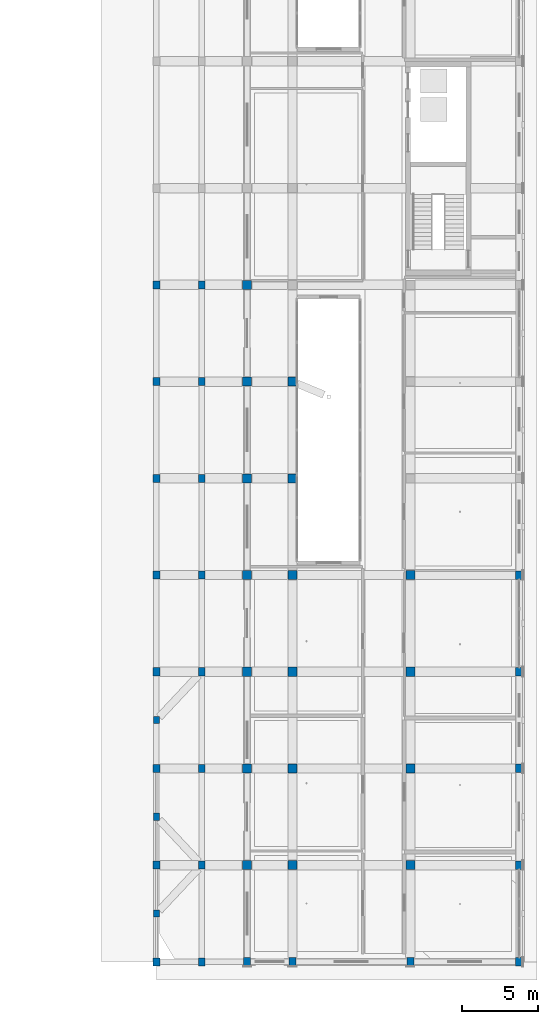
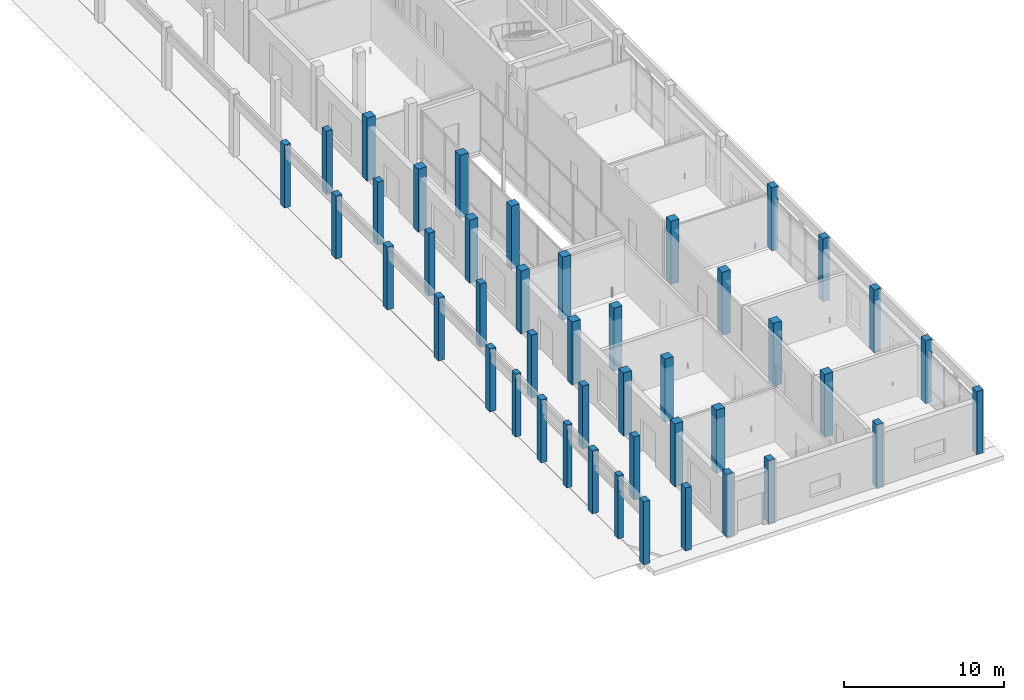
# One storey, part 13 of 88: 44 columns.
"""IFC4 building model written with IfcOpenShell, lengths in metres."""

from ifc_helpers import new_model, si_unit, derived_unit, direction, frame, origin, origin_2d, place, context, subcontext, project, spatial, rectangle, extrude, material, material_profile, profile_set, type_object, element, save


model = new_model("IFC4")

# Units and contexts
model_context = context("Model", 3, precision=1e-05, world=origin(), true_north=direction((0.0, 1.0)))
body_context = subcontext(model_context, "Body", "Model", "MODEL_VIEW")
ifc_project = project(units=[si_unit("LENGTHUNIT", "METRE"), si_unit("AREAUNIT", "SQUARE_METRE"), si_unit("VOLUMEUNIT", "CUBIC_METRE"), si_unit("PLANEANGLEUNIT", "RADIAN"), si_unit("MASSUNIT", "GRAM", prefix="KILO"), derived_unit("THERMALTRANSMITTANCEUNIT", [(si_unit("POWERUNIT", "WATT"), 1), (si_unit("LENGTHUNIT", "METRE"), -2), (si_unit("THERMODYNAMICTEMPERATUREUNIT", "KELVIN"), -1)])], contexts=[model_context])

# Site, building, storey
site_placement = place(None, origin())
site = spatial("IfcSite", under=ifc_project, at=site_placement, CompositionType="ELEMENT")
building_placement = place(site_placement, origin())
building = spatial("IfcBuilding", under=site, at=building_placement, Name="Braskholm Square Health Centre", CompositionType="ELEMENT")
storey_placement = place(building_placement, origin())
storey = spatial("IfcBuildingStorey", under=building, at=storey_placement, Name="L01", CompositionType="ELEMENT", Elevation=0.0)

# Columns
ifc_material_1 = material(Name="Concrete C40/50 (f'c = 40 MPa)", Category="concrete")
ifc_material_profile_1 = material_profile(ifc_material_1, rectangle(XDim=0.60009765625, YDim=0.60009765625, at=origin_2d()), Name="RC-600X600")
ifc_profile_set_1 = profile_set([ifc_material_profile_1], Name="Concrete C40/50 (f'c = 40 MPa)")
column_type_1 = type_object("IfcColumnType", Name="ColInteriorLow600", PredefinedType="COLUMN", material=ifc_profile_set_1)
for number, where, z_axis, x_axis, name in (
    (1, (145.800048828125, 10.60009765625, 0.0), (0.0, 0.0, 1.0), (1.0, 0.0, 0.0), "Column 19/B L01"),
    (2, (145.800048828125, 17.0, 0.0), (0.0, 0.0, 1.0), (1.0, 0.0, 0.0), "Column 19/C L01"),
    (3, (145.800048828125, 23.39990234375, 0.0), (0.0, 0.0, 1.0), (1.0, 0.0, 0.0), "Column 19/D L01"),
    (4, (145.800048828125, 29.800048828125, 0.0), (0.0, 0.0, 1.0), (1.0, 0.0, 0.0), "Column 19/E L01"),
    (5, (145.800048828125, 36.199951171875, 0.0), (0.0, 0.0, 1.0), (1.0, 0.0, 0.0), "Column 19/F L01"),
    (6, (145.800048828125, 42.60009765625, 0.0), (0.0, 0.0, 1.0), (1.0, 0.0, 0.0), "Column 19/G L01"),
    (7, (145.800048828125, 49.0, 0.0), (0.0, 0.0, 1.0), (1.0, 0.0, 0.0), "Column 19/H L01"),
    (8, (148.800048828125, 10.60009765625, 0.0), (0.0, 0.0, 1.0), (1.0, 0.0, 0.0), "Column 20/B L01"),
    (9, (148.800048828125, 17.0, 0.0), (0.0, 0.0, 1.0), (1.0, 0.0, 0.0), "Column 20/C L01"),
    (10, (148.800048828125, 23.39990234375, 0.0), (0.0, 0.0, 1.0), (1.0, 0.0, 0.0), "Column 20/D L01"),
    (11, (148.800048828125, 29.800048828125, 0.0), (0.0, 0.0, 1.0), (1.0, 0.0, 0.0), "Column 20/E L01"),
    (12, (148.800048828125, 36.199951171875, 0.0), (0.0, 0.0, 1.0), (1.0, 0.0, 0.0), "Column 20/F L01"),
    (13, (148.800048828125, 42.60009765625, 0.0), (0.0, 0.0, 1.0), (1.0, 0.0, 0.0), "Column 20/G L01"),
    (14, (156.60009765625, 10.60009765625, 0.0), (0.0, 0.0, 1.0), (1.0, 0.0, 0.0), "Column 21/B L01"),
    (15, (156.60009765625, 17.0, 0.0), (0.0, 0.0, 1.0), (1.0, 0.0, 0.0), "Column 21/C L01"),
    (16, (156.60009765625, 23.39990234375, 0.0), (0.0, 0.0, 1.0), (1.0, 0.0, 0.0), "Column 21/D L01"),
    (17, (156.60009765625, 29.800048828125, 0.0), (0.0, 0.0, 1.0), (1.0, 0.0, 0.0), "Column 21/E L01"),
):
    element("IfcColumn", number, at=place(storey_placement, frame(where, z_axis=z_axis, x_axis=x_axis)), inside=storey, type_object=column_type_1, Name=name, PredefinedType="COLUMN", context=body_context, shape_type="SweptSolid", body=[
        extrude(rectangle(XDim=0.60009765625, YDim=0.60009765625, at=origin_2d()), origin(), (0.0, 0.0, 1.0), 4.800048828125),
    ])
ifc_material_2 = material(Name="Precast concrete C40/50 architectural white", Category="concrete")
ifc_material_profile_2 = material_profile(ifc_material_2, rectangle(XDim=0.3798828125, YDim=0.47998046875, at=origin_2d()), Name="RC-380X480")
ifc_profile_set_2 = profile_set([ifc_material_profile_2], Name="Precast concrete C40/50 architectural white")
column_type_2 = type_object("IfcColumnType", Name="ColPilasterKasota380x480", PredefinedType="PILASTER", material=ifc_profile_set_2)
for number, where, z_axis, x_axis, name in (
    (18, (139.800048828125, 7.39990234375, 0.0), (0.0, 0.0, 1.0), (1.0, 0.0, 0.0), "Column PIL04 L01"),
    (19, (139.800048828125, 13.800048828125, 0.0), (0.0, 0.0, 1.0), (1.0, 0.0, 0.0), "Column PIL05 L01"),
    (20, (139.800048828125, 20.199951171875, 0.0), (0.0, 0.0, 1.0), (1.0, 0.0, 0.0), "Column PIL06 L01"),
):
    element("IfcColumn", number, at=place(storey_placement, frame(where, z_axis=z_axis, x_axis=x_axis)), inside=storey, type_object=column_type_2, Name=name, PredefinedType="PILASTER", context=body_context, shape_type="SweptSolid", body=[
        extrude(rectangle(XDim=0.3798828125, YDim=0.47998046875, at=origin_2d()), origin(), (0.0, 0.0, 1.0), 4.800048828125),
    ])
ifc_material_profile_3 = material_profile(ifc_material_2, rectangle(XDim=0.43994140625, YDim=0.5400390625, at=origin_2d()), Name="RC-440X540")
ifc_profile_set_3 = profile_set([ifc_material_profile_3], Name="Precast concrete C40/50 architectural white")
column_type_3 = type_object("IfcColumnType", Name="ColPilasterKasota440x540", PredefinedType="PILASTER", material=ifc_profile_set_3)
for number, where, z_axis, x_axis, name in (
    (21, (139.800048828125, 4.199951171875, 0.0), (0.0, 0.0, 1.0), (1.0, 0.0, 0.0), "Column 17/A L01"),
    (22, (139.800048828125, 10.60009765625, 0.0), (0.0, 0.0, 1.0), (1.0, 0.0, 0.0), "Column 17/B L01"),
    (23, (139.800048828125, 17.0, 0.0), (0.0, 0.0, 1.0), (1.0, 0.0, 0.0), "Column 17/C L01"),
    (24, (139.800048828125, 23.39990234375, 0.0), (0.0, 0.0, 1.0), (1.0, 0.0, 0.0), "Column 17/D L01"),
    (25, (139.800048828125, 29.800048828125, 0.0), (0.0, 0.0, 1.0), (1.0, 0.0, 0.0), "Column 17/E L01"),
    (26, (139.800048828125, 36.199951171875, 0.0), (0.0, 0.0, 1.0), (1.0, 0.0, 0.0), "Column 17/F L01"),
    (27, (139.800048828125, 42.60009765625, 0.0), (0.0, 0.0, 1.0), (1.0, 0.0, 0.0), "Column 17/G L01"),
    (28, (139.800048828125, 49.0, 0.0), (0.0, 0.0, 1.0), (1.0, 0.0, 0.0), "Column 17/H L01"),
    (29, (142.800048828125, 4.199951171875, 0.0), (0.0, 0.0, 1.0), (1.0, 0.0, 0.0), "Column 18/A L01"),
    (30, (142.800048828125, 10.60009765625, 0.0), (0.0, 0.0, 1.0), (1.0, 0.0, 0.0), "Column 18/B L01"),
    (31, (142.800048828125, 17.0, 0.0), (0.0, 0.0, 1.0), (1.0, 0.0, 0.0), "Column 18/C L01"),
    (32, (142.800048828125, 23.39990234375, 0.0), (0.0, 0.0, 1.0), (1.0, 0.0, 0.0), "Column 18/D L01"),
    (33, (142.800048828125, 29.800048828125, 0.0), (0.0, 0.0, 1.0), (1.0, 0.0, 0.0), "Column 18/E L01"),
    (34, (142.800048828125, 36.199951171875, 0.0), (0.0, 0.0, 1.0), (1.0, 0.0, 0.0), "Column 18/F L01"),
    (35, (142.800048828125, 42.60009765625, 0.0), (0.0, 0.0, 1.0), (1.0, 0.0, 0.0), "Column 18/G L01"),
    (36, (142.800048828125, 49.0, 0.0), (0.0, 0.0, 1.0), (1.0, 0.0, 0.0), "Column 18/H L01"),
):
    element("IfcColumn", number, at=place(storey_placement, frame(where, z_axis=z_axis, x_axis=x_axis)), inside=storey, type_object=column_type_3, Name=name, PredefinedType="PILASTER", context=body_context, shape_type="SweptSolid", body=[
        extrude(rectangle(XDim=0.43994140625, YDim=0.5400390625, at=origin_2d()), origin(), (0.0, 0.0, 1.0), 4.800048828125),
    ])
ifc_material_profile_4 = material_profile(ifc_material_2, rectangle(XDim=0.4599609375, YDim=0.56005859375, at=origin_2d()), Name="RC-460X560")
ifc_profile_set_4 = profile_set([ifc_material_profile_4], Name="Precast concrete C40/50 architectural white")
column_type_4 = type_object("IfcColumnType", Name="ColPrecastFrame460x560", PredefinedType="COLUMN", material=ifc_profile_set_4)
for number, where, z_axis, x_axis, name in (
    (37, (145.800048828125, 4.199951171875, 0.0), (0.0, 0.0, 1.0), (1.0, 0.0, 0.0), "Column 19/A L01"),
    (38, (148.800048828125, 4.199951171875, 0.0), (0.0, 0.0, 1.0), (1.0, 0.0, 0.0), "Column 20/A L01"),
    (39, (156.60009765625, 4.199951171875, 0.0), (0.0, 0.0, 1.0), (1.0, 0.0, 0.0), "Column 21/A L01"),
    (40, (163.800048828125, 4.199951171875, 0.0), (0.0, 0.0, 1.0), (1.0, 0.0, 0.0), "Column 22/A L01"),
    (41, (163.800048828125, 10.60009765625, 0.0), (0.0, 0.0, 1.0), (1.0, 0.0, 0.0), "Column 22/B L01"),
    (42, (163.800048828125, 17.0, 0.0), (0.0, 0.0, 1.0), (1.0, 0.0, 0.0), "Column 22/C L01"),
    (43, (163.800048828125, 23.39990234375, 0.0), (0.0, 0.0, 1.0), (1.0, 0.0, 0.0), "Column 22/D L01"),
    (44, (163.800048828125, 29.800048828125, 0.0), (0.0, 0.0, 1.0), (1.0, 0.0, 0.0), "Column 22/E L01"),
):
    element("IfcColumn", number, at=place(storey_placement, frame(where, z_axis=z_axis, x_axis=x_axis)), inside=storey, type_object=column_type_4, Name=name, PredefinedType="COLUMN", context=body_context, shape_type="SweptSolid", body=[
        extrude(rectangle(XDim=0.4599609375, YDim=0.56005859375, at=origin_2d()), origin(), (0.0, 0.0, 1.0), 4.800048828125),
    ])

save(model, "model.ifc")
